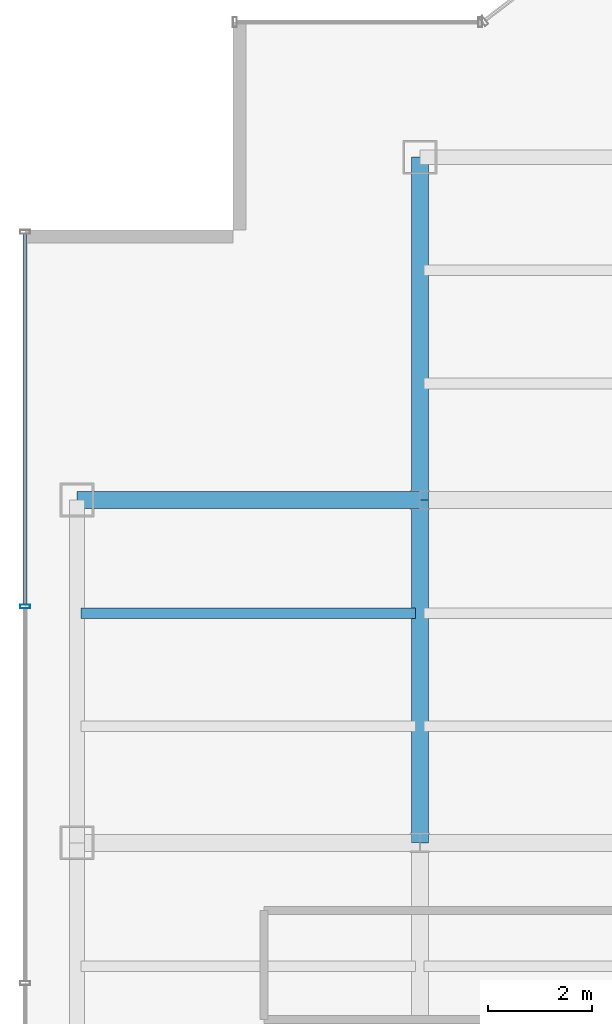
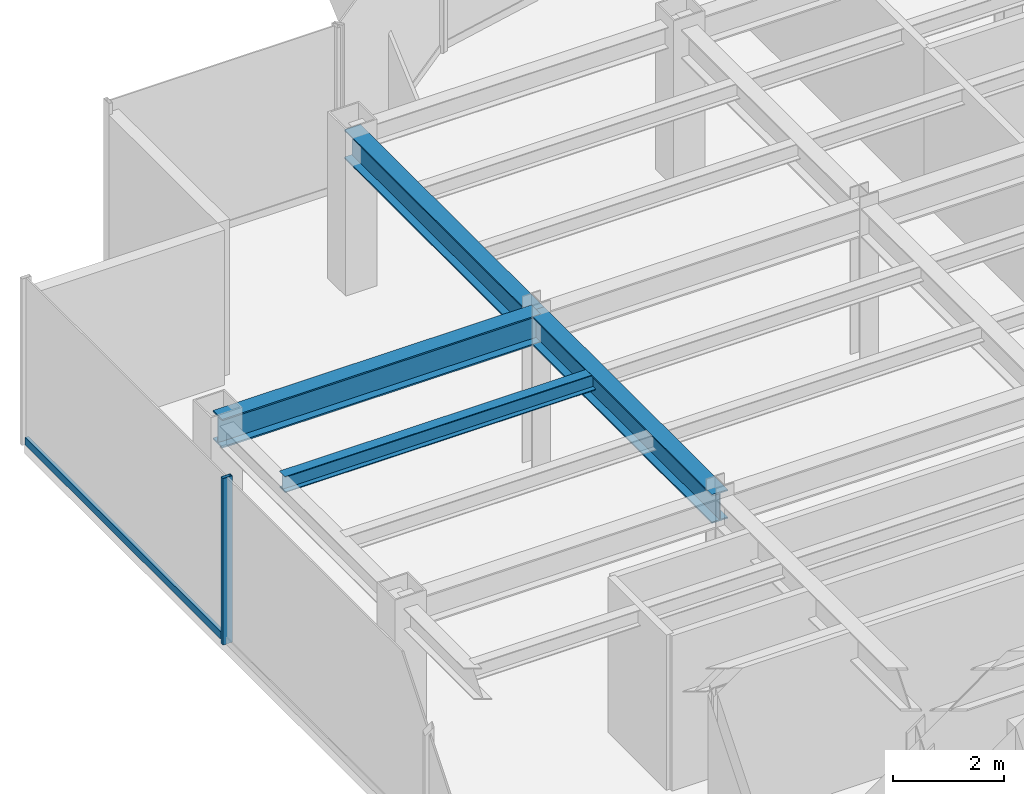
# One storey, part 7 of 25: 4 beams, 2 members, 1 element without a shape of its own.
"""IFC4 building model written with IfcOpenShell, lengths in metres."""

from ifc_helpers import new_model, si_unit, derived_unit, direction, frame, origin, origin_2d, place, context, subcontext, project, spatial, hollow_rectangle, i_section, extrude, source, transform, mapped, material, material_profile, profile_set, type_object, element, aggregate, save


model = new_model("IFC4")

# Units and contexts
model_context = context("Model", 3, precision=1e-05, world=origin(), true_north=direction((0.0, 1.0)))
body_context = subcontext(model_context, "Body", "Model", "MODEL_VIEW")
ifc_project = project(units=[si_unit("LENGTHUNIT", "METRE"), si_unit("AREAUNIT", "SQUARE_METRE"), si_unit("VOLUMEUNIT", "CUBIC_METRE"), si_unit("PLANEANGLEUNIT", "RADIAN"), si_unit("MASSUNIT", "GRAM", prefix="KILO"), derived_unit("THERMALTRANSMITTANCEUNIT", [(si_unit("POWERUNIT", "WATT"), 1), (si_unit("LENGTHUNIT", "METRE"), -2), (si_unit("THERMODYNAMICTEMPERATUREUNIT", "KELVIN"), -1)])], contexts=[model_context])

# Site, building, storey
site_placement = place(None, origin())
site = spatial("IfcSite", under=ifc_project, at=site_placement, CompositionType="ELEMENT")
building_placement = place(site_placement, origin())
building = spatial("IfcBuilding", under=site, at=building_placement, Name="Skarnbrae Concourse Arena and Tower", CompositionType="ELEMENT")
storey_placement = place(building_placement, frame((0.0, 0.0, 162.5)))
storey = spatial("IfcBuildingStorey", under=building, at=storey_placement, Name="L41", CompositionType="ELEMENT", Elevation=162.5)

# Beams
ifc_material_1 = material(Name="Steel CSA G40.21 350W", Category="steel")
ifc_material_profile_1 = material_profile(ifc_material_1, i_section(OverallWidth=0.3291015625, OverallDepth=0.635009765625, WebThickness=0.017822265625, FlangeThickness=0.031005859375, at=origin_2d()), Name="W610X241")
ifc_profile_set_1 = profile_set([ifc_material_profile_1], Name="Steel CSA G40.21 350W")
beam_type_1 = type_object("IfcBeamType", Name="BM-GIRD-W610X241", PredefinedType="BEAM", material=ifc_profile_set_1)
shared_shape_1 = source(origin(), body_context, "Body", "SweptSolid", [
    extrude(i_section(OverallWidth=0.3291015625, OverallDepth=0.635009765625, WebThickness=0.017822265625, FlangeThickness=0.031005859375, at=origin_2d()), origin(), (0.0, 0.0, 1.0), 6.60009765625),
])
for number, where, z_axis, x_axis, name in (
    (1, (1.0, 27.800048828125, 3.08251953125), (1.0, 0.0, 0.0), (0.0, 1.0, 0.0), "L41 Primary E-W girder Y27.8-1"),
    (2, (7.60009765625, 21.199951171875, 3.08251953125), (0.0, 1.0, 0.0), (-1.0, 0.0, 0.0), "L41 Primary N-S girder X7.6-2"),
):
    element("IfcBeam", number, at=place(storey_placement, frame(where, z_axis=z_axis, x_axis=x_axis)), inside=storey, type_object=beam_type_1, Name=name, PredefinedType="BEAM", context=body_context, shape_type="MappedRepresentation", body=[
        mapped(shared_shape_1, transform((0.0, 0.0, 0.0))),
    ])
shared_shape_2 = source(origin(), body_context, "Body", "SweptSolid", [
    extrude(i_section(OverallWidth=0.3291015625, OverallDepth=0.635009765625, WebThickness=0.017822265625, FlangeThickness=0.031005859375, at=origin_2d()), origin(), (0.0, 0.0, 1.0), 6.599853515625),
])
beam_1_placement = place(storey_placement, frame((7.60009765625, 27.800048828125, 3.08251953125), z_axis=(0.0, 1.0, 0.0), x_axis=(-1.0, 0.0, 0.0)))
element("IfcBeam", 3, at=beam_1_placement, inside=storey, type_object=beam_type_1, Name="L41 Primary N-S girder X7.6-3", PredefinedType="BEAM", context=body_context, shape_type="MappedRepresentation", body=[
    mapped(shared_shape_2, transform((0.0, 0.0, 0.0))),
])
ifc_material_profile_2 = material_profile(ifc_material_1, i_section(OverallWidth=0.205078125, OverallDepth=0.35400390625, WebThickness=0.009521484375, FlangeThickness=0.016845703125, at=origin_2d()), Name="W360X79")
ifc_profile_set_2 = profile_set([ifc_material_profile_2], Name="Steel CSA G40.21 350W")
beam_type_2 = type_object("IfcBeamType", Name="BM-JOIST-W360X79", PredefinedType="JOIST", material=ifc_profile_set_2)
shared_shape_3 = source(origin(), body_context, "Body", "SweptSolid", [
    extrude(i_section(OverallWidth=0.205078125, OverallDepth=0.35400390625, WebThickness=0.009521484375, FlangeThickness=0.016845703125, at=origin_2d()), origin(), (0.0, 0.0, 1.0), 6.43994140625),
])
beam_2_placement = place(storey_placement, frame((1.080078125, 25.6220703125, 3.222900390625), z_axis=(1.0, 0.0, 0.0), x_axis=(0.0, 1.0, 0.0)))
element("IfcBeam", 4, at=beam_2_placement, inside=storey, type_object=beam_type_2, Name="L41 Secondary floor joist 2.2.1", PredefinedType="JOIST", context=body_context, shape_type="MappedRepresentation", body=[
    mapped(shared_shape_3, transform((0.0, 0.0, 0.0))),
])

# Curtain wall, members
ifc_material_2 = material(Name="Bronze anodised aluminium 6063-T6", Category="aluminium")
curtain_wall_type = type_object("IfcCurtainWallType", Name="CW-SYS-04-MIDZONE", PredefinedType="USERDEFINED", material=ifc_material_2)
curtain_wall_placement = place(storey_placement, origin())
curtain_wall = element("IfcCurtainWall", 5, at=curtain_wall_placement, inside=storey, type_object=curtain_wall_type, Name="L41 Unitised curtain wall CW-L41-E18", ObjectType="UNITISED CURTAIN WALL", PredefinedType="USERDEFINED")
ifc_material_profile_3 = material_profile(ifc_material_2, hollow_rectangle(XDim=0.074951171875, YDim=0.195068359375, WallThickness=0.00439453125, at=origin_2d()), Name="ALU-MULL-75X195")
ifc_profile_set_3 = profile_set([ifc_material_profile_3], Name="Bronze anodised aluminium 6063-T6")
member_type_1 = type_object("IfcMemberType", Name="CWM-CW-04", PredefinedType="MULLION", material=ifc_profile_set_3)
shared_shape_4 = source(origin(), body_context, "Body", "SweptSolid", [
    extrude(hollow_rectangle(XDim=0.074951171875, YDim=0.195068359375, WallThickness=0.00439453125, at=origin_2d()), origin(), (0.0, 0.0, 1.0), 3.64990234375),
])
member_1_placement = place(storey_placement, frame((0.0, 25.75, 0.0), z_axis=(0.0, 0.0, 1.0), x_axis=(0.0, -1.0, 0.0)))
member_1 = element("IfcMember", 6, at=member_1_placement, type_object=member_type_1, Name="CW-L41-E18 Mullion 2", PredefinedType="MULLION", context=body_context, shape_type="MappedRepresentation", body=[
    mapped(shared_shape_4, transform((0.0, 0.0, 0.0))),
])
ifc_material_profile_4 = material_profile(ifc_material_2, hollow_rectangle(XDim=0.074951171875, YDim=0.159912109375, WallThickness=0.00439453125, at=origin_2d()), Name="ALU-TRAN-75X160")
ifc_profile_set_4 = profile_set([ifc_material_profile_4], Name="Bronze anodised aluminium 6063-T6")
member_type_2 = type_object("IfcMemberType", Name="CWT-CW-04", PredefinedType="USERDEFINED", material=ifc_profile_set_4)
shared_shape_5 = source(origin(), body_context, "Body", "SweptSolid", [
    extrude(hollow_rectangle(XDim=0.074951171875, YDim=0.159912109375, WallThickness=0.00439453125, at=origin_2d()), origin(), (0.0, 0.0, 1.0), 7.137451171875),
])
member_2_placement = place(storey_placement, frame((0.0, 32.925048828125, 0.080078125), z_axis=(0.0, -1.0, 0.0), x_axis=(1.0, 0.0, 0.0)))
member_2 = element("IfcMember", 7, at=member_2_placement, type_object=member_type_2, Name="CW-L41-E18 Transom 1", ObjectType="TRANSOM", PredefinedType="USERDEFINED", context=body_context, shape_type="MappedRepresentation", body=[
    mapped(shared_shape_5, transform((0.0, 0.0, 0.0))),
])
aggregate(curtain_wall, [member_1, member_2])

save(model, "model.ifc")
